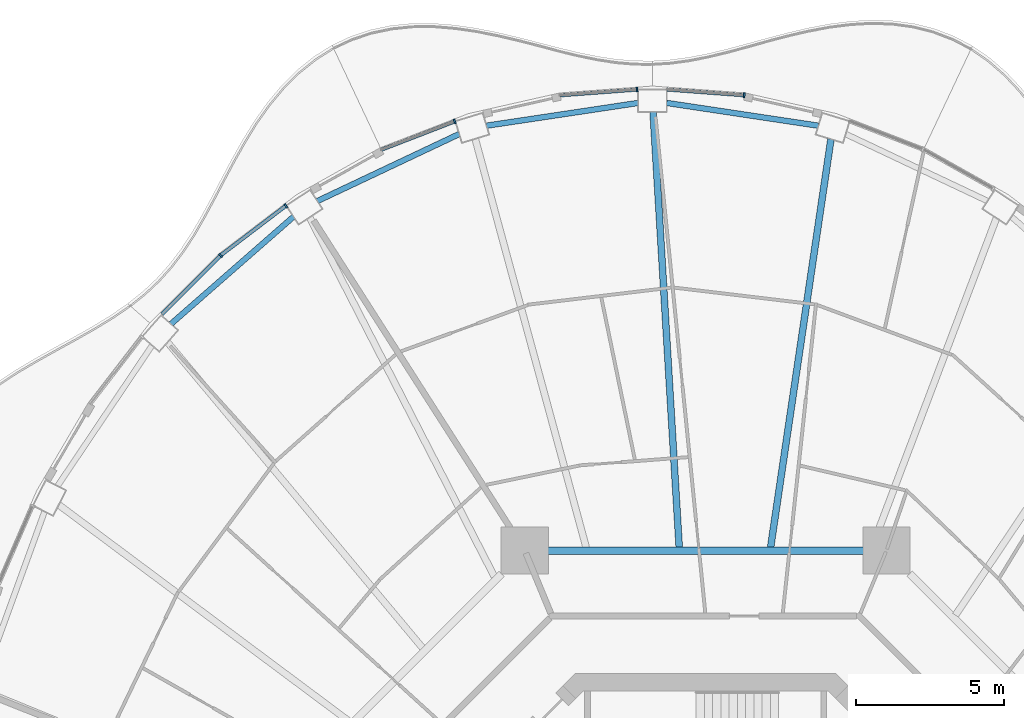
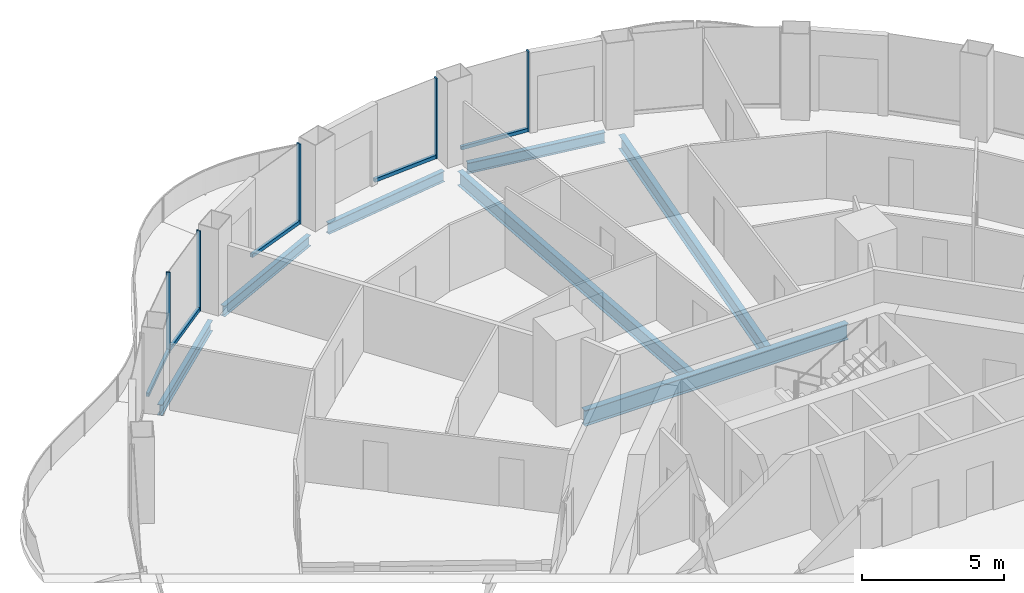
# One storey, part 6 of 18: 10 members, 7 beams, 5 elements without a shape of their own.
"""IFC4 building model written with IfcOpenShell, lengths in metres."""

from ifc_helpers import new_model, si_unit, direction, frame, origin, origin_2d, place, context, subcontext, project, spatial, rectangle, i_section, extrude, material, layer, layer_set, material_profile, profile_set, type_object, element, aggregate, save


model = new_model("IFC4")

# Units and contexts
model_context = context("Model", 3, precision=1e-05, world=origin(), true_north=direction((0.0, 1.0)))
body_context = subcontext(model_context, "Body", "Model", "MODEL_VIEW")
ifc_project = project(units=[si_unit("LENGTHUNIT", "METRE"), si_unit("AREAUNIT", "SQUARE_METRE"), si_unit("VOLUMEUNIT", "CUBIC_METRE"), si_unit("PLANEANGLEUNIT", "RADIAN"), si_unit("MASSUNIT", "GRAM", prefix="KILO")], contexts=[model_context])

# Site, building, storey
site_placement = place(None, origin())
site = spatial("IfcSite", under=ifc_project, at=site_placement, CompositionType="ELEMENT")
building_placement = place(site_placement, origin())
building = spatial("IfcBuilding", under=site, at=building_placement, Name="Nagisa Residences", CompositionType="ELEMENT")
storey_placement = place(building_placement, frame((0.0, 0.0, 223.300048828125)))
storey = spatial("IfcBuildingStorey", under=building, at=storey_placement, Name="L56", CompositionType="ELEMENT", Elevation=223.300048828125)

# Curtain wall, member
ifc_material_1 = material(Name="Concrete-coloured aluminium curtain wall system", Category="concrete")
ifc_layer = layer(ifc_material_1, 0.159912109375)
ifc_layer_set = layer_set([ifc_layer], Name="CW1 CURTAIN WALL")
curtain_wall_type = type_object("IfcCurtainWallType", Name="CW1 CURTAIN WALL", PredefinedType="NOTDEFINED", material=ifc_layer_set)
curtain_wall_1_placement = place(storey_placement, origin())
curtain_wall_1 = element("IfcCurtainWall", 1, at=curtain_wall_1_placement, inside=storey, type_object=curtain_wall_type, Name="cw:CW1:L56:11", PredefinedType="NOTDEFINED")
ifc_material_2 = material(Name="Concrete-coloured aluminium", Category="concrete")
ifc_material_profile_1 = material_profile(ifc_material_2, rectangle(XDim=0.159912109375, YDim=0.06005859375, at=origin_2d()), Name="CW1 MULLION 160x60")
ifc_profile_set_1 = profile_set([ifc_material_profile_1], Name="Concrete-coloured aluminium")
member_type_1 = type_object("IfcMemberType", Name="CW1 MULLION 160x60", PredefinedType="MULLION", material=ifc_profile_set_1)
member_1_placement = place(storey_placement, frame((1.305908203125, 30.19580078125, 0.0), z_axis=(0.0, 0.0, 1.0), x_axis=(-0.074377355493, -0.997230168512, 0.0)))
member_1 = element("IfcMember", 2, at=member_1_placement, type_object=member_type_1, Name="CW1 mullion", PredefinedType="MULLION", context=body_context, shape_type="SweptSolid", body=[
    extrude(rectangle(XDim=0.159912109375, YDim=0.06005859375, at=origin_2d()), origin(), (0.0, 0.0, 1.0), 3.43994140625),
])

curtain_wall_2_placement = place(storey_placement, origin())
curtain_wall_2 = element("IfcCurtainWall", 3, at=curtain_wall_2_placement, inside=storey, type_object=curtain_wall_type, Name="cw:CW1:L56:12", PredefinedType="NOTDEFINED")
member_2_placement = place(storey_placement, frame((-2.322509765625, 30.388427734375, 0.0), z_axis=(0.0, 0.0, 1.0), x_axis=(0.074377355493, -0.997230168512, 0.0)))
member_2 = element("IfcMember", 4, at=member_2_placement, type_object=member_type_1, Name="CW1 mullion", PredefinedType="MULLION", context=body_context, shape_type="SweptSolid", body=[
    extrude(rectangle(XDim=0.159912109375, YDim=0.06005859375, at=origin_2d()), origin(), (0.0, 0.0, 1.0), 3.43994140625),
])

curtain_wall_3_placement = place(storey_placement, origin())
curtain_wall_3 = element("IfcCurtainWall", 5, at=curtain_wall_3_placement, inside=storey, type_object=curtain_wall_type, Name="cw:CW1:L56:14", PredefinedType="NOTDEFINED")
member_3_placement = place(storey_placement, frame((-8.495361328125, 29.308837890625, 0.0), z_axis=(0.0, 0.0, 1.0), x_axis=(0.360327770268, -0.932825759707, 0.0)))
member_3 = element("IfcMember", 6, at=member_3_placement, type_object=member_type_1, Name="CW1 mullion", PredefinedType="MULLION", context=body_context, shape_type="SweptSolid", body=[
    extrude(rectangle(XDim=0.159912109375, YDim=0.06005859375, at=origin_2d()), origin(), (0.0, 0.0, 1.0), 3.43994140625),
])

curtain_wall_4_placement = place(storey_placement, origin())
curtain_wall_4 = element("IfcCurtainWall", 7, at=curtain_wall_4_placement, inside=storey, type_object=curtain_wall_type, Name="cw:CW1:L56:16", PredefinedType="NOTDEFINED")
member_4_placement = place(storey_placement, frame((-14.20849609375, 26.45361328125, 0.0), z_axis=(0.0, 0.0, 1.0), x_axis=(0.605255421737, -0.79603132756, 0.0)))
member_4 = element("IfcMember", 8, at=member_4_placement, type_object=member_type_1, Name="CW1 mullion", PredefinedType="MULLION", context=body_context, shape_type="SweptSolid", body=[
    extrude(rectangle(XDim=0.159912109375, YDim=0.06005859375, at=origin_2d()), origin(), (0.0, 0.0, 1.0), 3.43994140625),
])

curtain_wall_5_placement = place(storey_placement, origin())
curtain_wall_5 = element("IfcCurtainWall", 9, at=curtain_wall_5_placement, inside=storey, type_object=curtain_wall_type, Name="cw:CW1:L56:17", PredefinedType="NOTDEFINED")
member_5_placement = place(storey_placement, frame((-16.417724609375, 24.769775390625, 0.0), z_axis=(0.0, 0.0, 1.0), x_axis=(0.706376885714, -0.707835924016, 0.0)))
member_5 = element("IfcMember", 10, at=member_5_placement, type_object=member_type_1, Name="CW1 mullion", PredefinedType="MULLION", context=body_context, shape_type="SweptSolid", body=[
    extrude(rectangle(XDim=0.159912109375, YDim=0.06005859375, at=origin_2d()), origin(), (0.0, 0.0, 1.0), 3.43994140625),
])

# Member
ifc_material_3 = material(Name="Concrete-coloured aluminium", Category="concrete")
ifc_material_profile_2 = material_profile(ifc_material_3, rectangle(XDim=0.1201171875, YDim=0.14990234375, at=origin_2d()), Name="CW1 TRANSOM 120x150")
ifc_profile_set_2 = profile_set([ifc_material_profile_2], Name="Concrete-coloured aluminium")
member_type_2 = type_object("IfcMemberType", Name="CW1 TRANSOM 120x150", PredefinedType="USERDEFINED", material=ifc_profile_set_2)
member_6_placement = place(storey_placement, frame((1.335693359375, 30.193603515625, 0.074951171875), z_axis=(-0.997233213085, 0.074336523458, 0.0), x_axis=(-0.074336523458, -0.997233213085, 0.0)))
member_6 = element("IfcMember", 11, at=member_6_placement, type_object=member_type_2, Name="CW1 transom", ObjectType="TRANSOM", PredefinedType="USERDEFINED", context=body_context, shape_type="SweptSolid", body=[
    extrude(rectangle(XDim=0.1201171875, YDim=0.14990234375, at=origin_2d()), origin(), (0.0, 0.0, 1.0), 2.650390625),
])

aggregate(curtain_wall_1, [member_1, member_6])

member_7_placement = place(storey_placement, frame((-2.292724609375, 30.390625, 0.074951171875), z_axis=(-0.997233213085, -0.074336523458, 0.0), x_axis=(0.074336523458, -0.997233213085, 0.0)))
member_7 = element("IfcMember", 12, at=member_7_placement, type_object=member_type_2, Name="CW1 transom", ObjectType="TRANSOM", PredefinedType="USERDEFINED", context=body_context, shape_type="SweptSolid", body=[
    extrude(rectangle(XDim=0.1201171875, YDim=0.14990234375, at=origin_2d()), origin(), (0.0, 0.0, 1.0), 2.650390625),
])

aggregate(curtain_wall_2, [member_2, member_7])

member_8_placement = place(storey_placement, frame((-8.46728515625, 29.319580078125, 0.074951171875), z_axis=(-0.932838255163, -0.360295420044, 0.0), x_axis=(0.360295420044, -0.932838255163, 0.0)))
member_8 = element("IfcMember", 13, at=member_8_placement, type_object=member_type_2, Name="CW1 transom", ObjectType="TRANSOM", PredefinedType="USERDEFINED", context=body_context, shape_type="SweptSolid", body=[
    extrude(rectangle(XDim=0.1201171875, YDim=0.14990234375, at=origin_2d()), origin(), (0.0, 0.0, 1.0), 2.6962890625),
])

aggregate(curtain_wall_3, [member_3, member_8])

member_9_placement = place(storey_placement, frame((-14.1845703125, 26.471923828125, 0.074951171875), z_axis=(-0.796022158395, -0.605267480825, 0.0), x_axis=(0.605267480825, -0.796022158395, 0.0)))
member_9 = element("IfcMember", 14, at=member_9_placement, type_object=member_type_2, Name="CW1 transom", ObjectType="TRANSOM", PredefinedType="USERDEFINED", context=body_context, shape_type="SweptSolid", body=[
    extrude(rectangle(XDim=0.1201171875, YDim=0.14990234375, at=origin_2d()), origin(), (0.0, 0.0, 1.0), 2.788818359375),
])

aggregate(curtain_wall_4, [member_4, member_9])

member_10_placement = place(storey_placement, frame((-16.396484375, 24.791015625, 0.074951171875), z_axis=(-0.707836044127, -0.706376765356, 0.0), x_axis=(0.706376765356, -0.707836044127, 0.0)))
member_10 = element("IfcMember", 15, at=member_10_placement, type_object=member_type_2, Name="CW1 transom", ObjectType="TRANSOM", PredefinedType="USERDEFINED", context=body_context, shape_type="SweptSolid", body=[
    extrude(rectangle(XDim=0.1201171875, YDim=0.14990234375, at=origin_2d()), origin(), (0.0, 0.0, 1.0), 2.84423828125),
])

aggregate(curtain_wall_5, [member_5, member_10])

# Beams
ifc_material_4 = material(Name="Steel ASTM A572 Gr 50", Category="steel")
ifc_material_profile_3 = material_profile(ifc_material_4, i_section(OverallWidth=0.2529296875, OverallDepth=0.677978515625, WebThickness=0.01171875, FlangeThickness=0.016357421875, at=origin_2d()), Name="W690x125")
ifc_profile_set_3 = profile_set([ifc_material_profile_3], Name="Steel ASTM A572 Gr 50")
beam_type_1 = type_object("IfcBeamType", Name="Inner ring beam W690x125", PredefinedType="BEAM", material=ifc_profile_set_3)
beam_1_placement = place(storey_placement, frame((5.343017578125, 14.781982421875, -0.59912109375), z_axis=(-1.0, 0.0, 0.0), x_axis=(0.0, -1.0, 0.0)))
element("IfcBeam", 16, at=beam_1_placement, inside=storey, type_object=beam_type_1, Name="beam:L56:ib2", PredefinedType="BEAM", context=body_context, shape_type="SweptSolid", body=[
    extrude(i_section(OverallWidth=0.2529296875, OverallDepth=0.677978515625, WebThickness=0.01171875, FlangeThickness=0.016357421875, at=origin_2d()), origin(), (0.0, 0.0, 1.0), 10.68603515625),
])
ifc_material_5 = material(Name="Steel ASTM A572 Gr 50", Category="steel")
ifc_material_profile_4 = material_profile(ifc_material_5, i_section(OverallWidth=0.18994140625, OverallDepth=0.45703125, WebThickness=0.009033203125, FlangeThickness=0.014404296875, at=origin_2d()), Name="W460x74")
ifc_profile_set_4 = profile_set([ifc_material_profile_4], Name="Steel ASTM A572 Gr 50")
beam_type_2 = type_object("IfcBeamType", Name="Perimeter ring beam W460x74", PredefinedType="BEAM", material=ifc_profile_set_4)
for number, where, z_axis, x_axis, name in (
    (17, (3.8203125, 29.16357421875, -0.488525390625), (-0.988909463745, 0.148519603133, 0.0), (-0.148519603133, -0.988909463745, 0.0), "beam:L56:pb06"),
    (18, (-2.2802734375, 29.935546875, -0.488525390625), (-0.988909463745, -0.148519603133, 0.0), (0.148519603133, -0.988909463745, 0.0), "beam:L56:pb07"),
):
    element("IfcBeam", number, at=place(storey_placement, frame(where, z_axis=z_axis, x_axis=x_axis)), inside=storey, type_object=beam_type_2, Name=name, PredefinedType="BEAM", context=body_context, shape_type="SweptSolid", body=[
        extrude(i_section(OverallWidth=0.18994140625, OverallDepth=0.45703125, WebThickness=0.009033203125, FlangeThickness=0.014404296875, at=origin_2d()), origin(), (0.0, 0.0, 1.0), 5.19775390625),
    ])
beam_2_placement = place(storey_placement, frame((-8.339111328125, 28.884033203125, -0.488525390625), z_axis=(-0.904133867308, -0.42724928319, 0.0), x_axis=(0.42724928319, -0.904133867308, 0.0)))
element("IfcBeam", 19, at=beam_2_placement, inside=storey, type_object=beam_type_2, Name="beam:L56:pb08", PredefinedType="BEAM", context=body_context, shape_type="SweptSolid", body=[
    extrude(i_section(OverallWidth=0.18994140625, OverallDepth=0.45703125, WebThickness=0.009033203125, FlangeThickness=0.014404296875, at=origin_2d()), origin(), (0.0, 0.0, 1.0), 5.317138671875),
])
beam_3_placement = place(storey_placement, frame((-13.94970703125, 26.085693359375, -0.488525390625), z_axis=(-0.75242320672, -0.65867998147, 0.0), x_axis=(0.65867998147, -0.75242320672, 0.0)))
element("IfcBeam", 20, at=beam_3_placement, inside=storey, type_object=beam_type_2, Name="beam:L56:pb09", PredefinedType="BEAM", context=body_context, shape_type="SweptSolid", body=[
    extrude(i_section(OverallWidth=0.18994140625, OverallDepth=0.45703125, WebThickness=0.009033203125, FlangeThickness=0.014404296875, at=origin_2d()), origin(), (0.0, 0.0, 1.0), 5.5185546875),
])
ifc_material_6 = material(Name="Steel ASTM A572 Gr 50", Category="steel")
ifc_material_profile_5 = material_profile(ifc_material_6, i_section(OverallWidth=0.22802734375, OverallDepth=0.60302734375, WebThickness=0.010498046875, FlangeThickness=0.014892578125, at=origin_2d()), Name="W610x101")
ifc_profile_set_5 = profile_set([ifc_material_profile_5], Name="Steel ASTM A572 Gr 50")
beam_type_3 = type_object("IfcBeamType", Name="Radial beam W610x101", PredefinedType="BEAM", material=ifc_profile_set_5)
beam_4_placement = place(storey_placement, frame((4.244140625, 28.711181640625, -0.5615234375), z_axis=(-0.146228868188, -0.989250786256, 0.0), x_axis=(0.989250786256, -0.146228868188, 0.0)))
element("IfcBeam", 21, at=beam_4_placement, inside=storey, type_object=beam_type_3, Name="beam:L56:rb06", PredefinedType="BEAM", context=body_context, shape_type="SweptSolid", body=[
    extrude(i_section(OverallWidth=0.22802734375, OverallDepth=0.60302734375, WebThickness=0.010498046875, FlangeThickness=0.014892578125, at=origin_2d()), origin(), (0.0, 0.0, 1.0), 13.97265625),
])
beam_5_placement = place(storey_placement, frame((-1.777099609375, 29.627685546875, -0.5615234375), z_axis=(0.059871531939, -0.998206090776, 0.0), x_axis=(0.998206090776, 0.059871531939, 0.0)))
element("IfcBeam", 22, at=beam_5_placement, inside=storey, type_object=beam_type_3, Name="beam:L56:rb07", PredefinedType="BEAM", context=body_context, shape_type="SweptSolid", body=[
    extrude(i_section(OverallWidth=0.22802734375, OverallDepth=0.60302734375, WebThickness=0.010498046875, FlangeThickness=0.014892578125, at=origin_2d()), origin(), (0.0, 0.0, 1.0), 14.765380859375),
])

save(model, "model.ifc")
